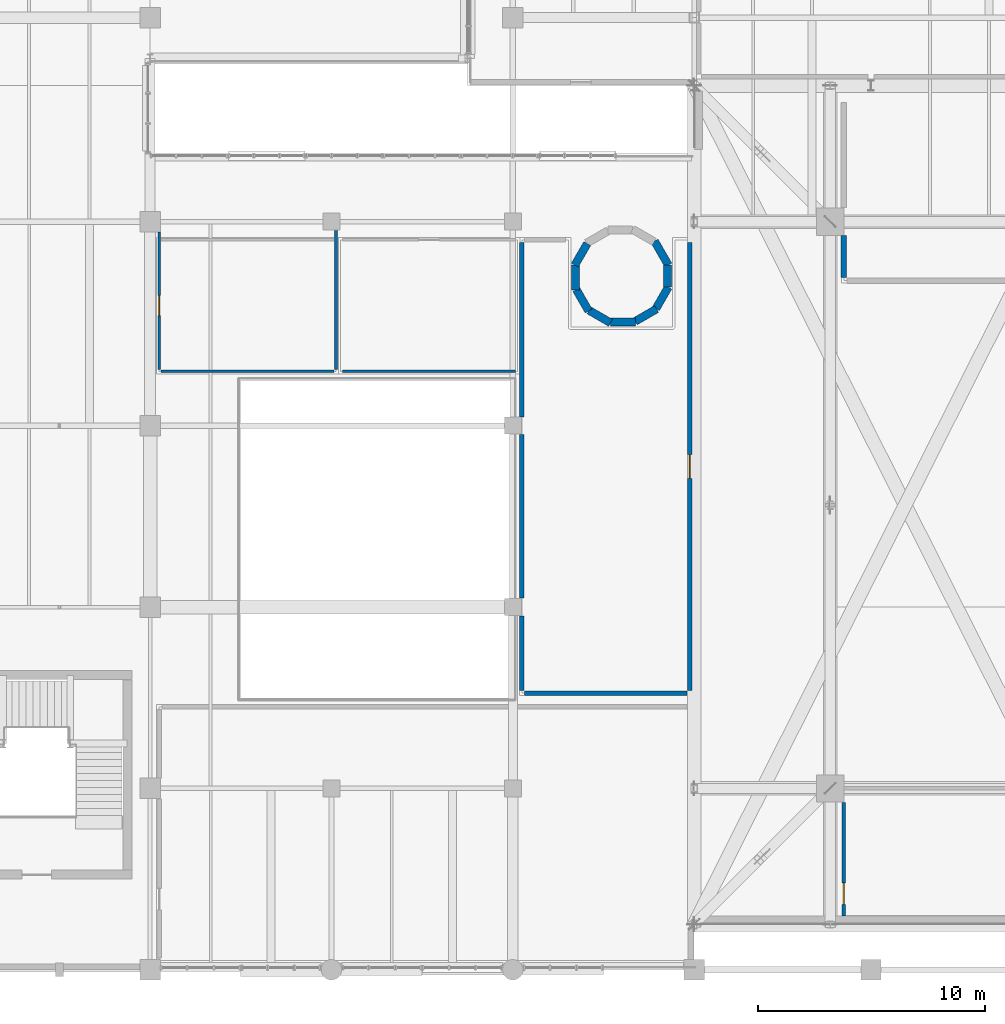
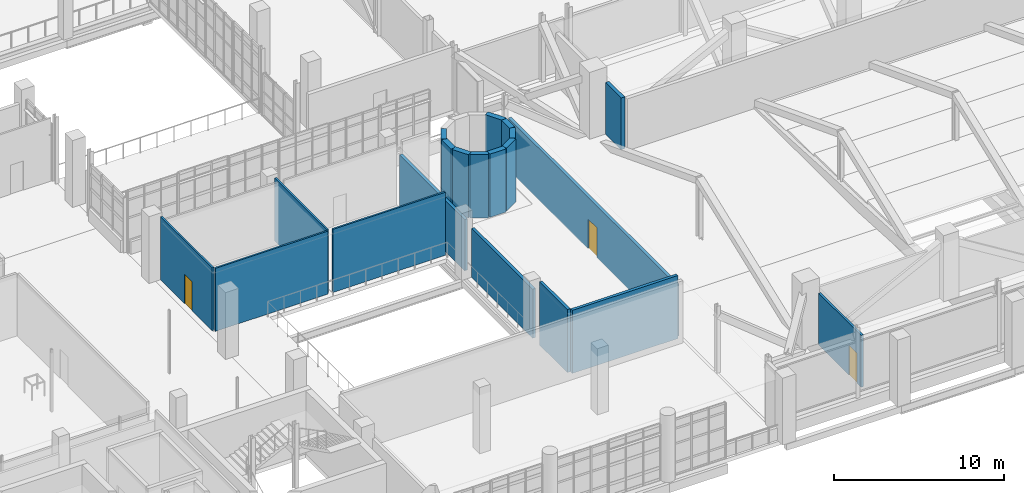
# One storey, part 110 of 127: 20 walls, 3 doors, 3 openings.
"""IFC4 building model written with IfcOpenShell, lengths in metres."""

from ifc_helpers import new_model, si_unit, derived_unit, direction, frame, frame_2d, origin, place, context, subcontext, project, spatial, rectangle, extrude, material, layer, layer_set, type_object, element, fill, save


model = new_model("IFC4")

# Units and contexts
model_context = context("Model", 3, precision=1e-05, world=origin(), true_north=direction((0.0, 1.0)))
body_context = subcontext(model_context, "Body", "Model", "MODEL_VIEW")
ifc_project = project(units=[si_unit("LENGTHUNIT", "METRE"), si_unit("AREAUNIT", "SQUARE_METRE"), si_unit("VOLUMEUNIT", "CUBIC_METRE"), si_unit("PLANEANGLEUNIT", "RADIAN"), si_unit("MASSUNIT", "GRAM", prefix="KILO"), derived_unit("THERMALTRANSMITTANCEUNIT", [(si_unit("POWERUNIT", "WATT"), 1), (si_unit("LENGTHUNIT", "METRE"), -2), (si_unit("THERMODYNAMICTEMPERATUREUNIT", "KELVIN"), -1)])], contexts=[model_context])

# Site, building, storey
site_placement = place(None, origin())
site = spatial("IfcSite", under=ifc_project, at=site_placement, CompositionType="ELEMENT")
building_placement = place(site_placement, origin())
building = spatial("IfcBuilding", under=site, at=building_placement, Name="Nallur Shell Playhouse", CompositionType="ELEMENT")
storey_placement = place(building_placement, frame((0.0, 0.0, 5.39990234375)))
storey = spatial("IfcBuildingStorey", under=building, at=storey_placement, Name="L02", CompositionType="ELEMENT", Elevation=5.39990234375)

# Walls
ifc_material_1 = material(Name="Concrete M45", Category="concrete")
ifc_layer_1 = layer(ifc_material_1, 0.39990234375)
ifc_layer_set_1 = layer_set([ifc_layer_1], Name="Concrete M45")
wall_type_1 = type_object("IfcWallType", Name="WL-CORE-400", PredefinedType="SHEAR", material=ifc_layer_set_1)
wall_1_placement = place(storey_placement, frame((62.861328125, 39.08642578125, 0.0), z_axis=(0.0, 0.0, 1.0), x_axis=(-0.499930512259, 0.866065518833, 0.0)))
element("IfcWall", 1, at=wall_1_placement, inside=storey, type_object=wall_type_1, Name="Metabolist service drum DR-1 facet 1 (L02)", PredefinedType="SHEAR", context=body_context, shape_type="SweptSolid", body=[
    extrude(rectangle(XDim=1.218994140625, YDim=0.35009765625, at=frame_2d((0.609375, 0.0))), origin(), (0.0, 0.0, 1.0), 4.5400390625),
])
for number, where, z_axis, x_axis, name in (
    (2, (59.28515625, 40.032958984375, 0.0), (0.0, 0.0, 1.0), (-0.500102687236, -0.865966109163, 0.0), "Metabolist service drum DR-1 facet 5 (L02)"),
    (3, (58.771484375, 39.08349609375, 0.0), (0.0, 0.0, 1.0), (0.0, -1.0, 0.0), "Metabolist service drum DR-1 facet 6 (L02)"),
    (4, (58.801513671875, 38.00439453125, 0.0), (0.0, 0.0, 1.0), (0.500102687236, -0.865966109163, 0.0), "Metabolist service drum DR-1 facet 7 (L02)"),
):
    element("IfcWall", number, at=place(storey_placement, frame(where, z_axis=z_axis, x_axis=x_axis)), inside=storey, type_object=wall_type_1, Name=name, PredefinedType="SHEAR", context=body_context, shape_type="SweptSolid", body=[
        extrude(rectangle(XDim=1.093017578125, YDim=0.35009765625, at=frame_2d((0.54638671875, 0.0))), origin(), (0.0, 0.0, 1.0), 4.5400390625),
    ])
wall_2_placement = place(storey_placement, frame((59.366943359375, 37.085205078125, 0.0), z_axis=(0.0, 0.0, 1.0), x_axis=(0.866021955858, -0.500005971936, 0.0)))
element("IfcWall", 5, at=wall_2_placement, inside=storey, type_object=wall_type_1, Name="Metabolist service drum DR-1 facet 8 (L02)", PredefinedType="SHEAR", context=body_context, shape_type="SweptSolid", body=[
    extrude(rectangle(XDim=1.09326171875, YDim=0.35009765625, at=frame_2d((0.546630859375, 0.0))), origin(), (0.0, 0.0, 1.0), 4.5400390625),
])
for number, where, z_axis, x_axis, name in (
    (6, (60.31640625, 36.571533203125, 0.0), (0.0, 0.0, 1.0), (1.0, 0.0, 0.0), "Metabolist service drum DR-1 facet 9 (L02)"),
    (7, (61.3955078125, 36.6015625, 0.0), (0.0, 0.0, 1.0), (0.865966109163, 0.500102687236, 0.0), "Metabolist service drum DR-1 facet 10 (L02)"),
    (8, (62.31494140625, 37.1669921875, 0.0), (0.0, 0.0, 1.0), (0.499935162227, 0.866062834654, 0.0), "Metabolist service drum DR-1 facet 11 (L02)"),
):
    element("IfcWall", number, at=place(storey_placement, frame(where, z_axis=z_axis, x_axis=x_axis)), inside=storey, type_object=wall_type_1, Name=name, PredefinedType="SHEAR", context=body_context, shape_type="SweptSolid", body=[
        extrude(rectangle(XDim=1.093017578125, YDim=0.35009765625, at=frame_2d((0.54638671875, 0.0))), origin(), (0.0, 0.0, 1.0), 4.5400390625),
    ])
wall_3_placement = place(storey_placement, frame((62.828369140625, 38.116455078125, 0.0), z_axis=(0.0, 0.0, 1.0), x_axis=(0.0, 1.0, 0.0)))
element("IfcWall", 9, at=wall_3_placement, inside=storey, type_object=wall_type_1, Name="Metabolist service drum DR-1 facet 12 (L02)", PredefinedType="SHEAR", context=body_context, shape_type="SweptSolid", body=[
    extrude(rectangle(XDim=0.967041015625, YDim=0.35009765625, at=frame_2d((0.4833984375, 0.0))), origin(), (0.0, 0.0, 1.0), 4.5400390625),
])

# Wall, opening, door
ifc_material_2 = material(Name="Concrete M30", Category="concrete")
ifc_layer_2 = layer(ifc_material_2, 0.199951171875)
ifc_layer_set_2 = layer_set([ifc_layer_2], Name="Concrete M30")
wall_type_2 = type_object("IfcWallType", Name="WL-PART-AC200", PredefinedType="PARTITIONING", material=ifc_layer_set_2)
wall_4_placement = place(storey_placement, frame((63.800048828125, 40.080078125, 0.0), z_axis=(0.0, 0.0, 1.0), x_axis=(0.0, -1.0, 0.0)))
wall_4 = element("IfcWall", 10, at=wall_4_placement, inside=storey, type_object=wall_type_2, Name="Stalls Interval Champagne & Coffee Bar partition IW-L02-0150", PredefinedType="PARTITIONING", context=body_context, shape_type="SweptSolid", body=[
    extrude(rectangle(XDim=19.760009765625, YDim=0.199951171875, at=frame_2d((9.8798828125, 0.0))), origin(), (0.0, 0.0, 1.0), 3.72021484375),
])
opening_1_placement = place(wall_4_placement, frame((9.35498046875, 0.0, 0.0)))
opening_1 = element("IfcOpeningElement", 11, at=opening_1_placement, cuts=wall_4, Name="Opening ID-01", PredefinedType="OPENING", context=body_context, shape_type="SweptSolid", body=[
    extrude(rectangle(XDim=1.050048828125, YDim=2.14990234375, at=frame_2d((0.52490234375, 1.074951171875))), frame((0.0, 0.10986328125, 0.0), z_axis=(0.0, -1.0, 0.0), x_axis=(1.0, 0.0, 0.0)), (0.0, 0.0, 1.0), 0.219970703125),
])
ifc_material_3 = material(Name="Solid-Core Engineered Timber Fire Door", Category="wood")
door_type_1 = type_object("IfcDoorType", Name="DR-INT-SGL1050L", OperationType="SINGLE_SWING_LEFT", PredefinedType="DOOR", material=ifc_material_3)
door_1_placement = place(opening_1_placement, origin())
door_1 = element("IfcDoor", 12, at=door_1_placement, inside=storey, type_object=door_type_1, Name="Stalls Interval Champagne & Coffee Bar door 1", OperationType="SINGLE_SWING_LEFT", OverallHeight=2.14990234375, OverallWidth=1.050048828125, PredefinedType="DOOR", context=body_context, shape_type="SweptSolid", body=[
    extrude(rectangle(XDim=1.050048828125, YDim=2.14990234375, at=frame_2d((0.52490234375, 1.074951171875))), frame((0.0, 0.02490234375, 0.0), z_axis=(0.0, -1.0, 0.0), x_axis=(1.0, 0.0, 0.0)), (0.0, 0.0, 1.0), 0.050048828125),
])
fill(opening_1, door_1)

# Walls
wall_5_placement = place(storey_placement, frame((63.679931640625, 20.199951171875, 0.0), z_axis=(0.0, 0.0, 1.0), x_axis=(-1.0, 0.0, 0.0)))
element("IfcWall", 13, at=wall_5_placement, inside=storey, type_object=wall_type_2, Name="Stalls Interval Champagne & Coffee Bar partition IW-L02-0151", PredefinedType="PARTITIONING", context=body_context, shape_type="SweptSolid", body=[
    extrude(rectangle(XDim=7.159912109375, YDim=0.199951171875, at=frame_2d((3.580078125, 0.0))), origin(), (0.0, 0.0, 1.0), 4.530029296875),
])
wall_6_placement = place(storey_placement, frame((56.39990234375, 20.320068359375, 0.0), z_axis=(0.0, 0.0, 1.0), x_axis=(0.0, 1.0, 0.0)))
element("IfcWall", 14, at=wall_6_placement, inside=storey, type_object=wall_type_2, Name="Stalls Interval Champagne & Coffee Bar partition IW-L02-0152", PredefinedType="PARTITIONING", context=body_context, shape_type="SweptSolid", body=[
    extrude(rectangle(XDim=3.2900390625, YDim=0.199951171875, at=frame_2d((1.64501953125, 0.0))), origin(), (0.0, 0.0, 1.0), 4.530029296875),
])
wall_7_placement = place(storey_placement, frame((56.39990234375, 24.389892578125, 0.0), z_axis=(0.0, 0.0, 1.0), x_axis=(0.0, 1.0, 0.0)))
element("IfcWall", 15, at=wall_7_placement, inside=storey, type_object=wall_type_2, Name="Stalls Interval Champagne & Coffee Bar partition IW-L02-0153", PredefinedType="PARTITIONING", context=body_context, shape_type="SweptSolid", body=[
    extrude(rectangle(XDim=7.22021484375, YDim=0.199951171875, at=frame_2d((3.610107421875, 0.0))), origin(), (0.0, 0.0, 1.0), 3.52001953125),
])
wall_8_placement = place(storey_placement, frame((56.39990234375, 32.389892578125, 0.0), z_axis=(0.0, 0.0, 1.0), x_axis=(0.0, 1.0, 0.0)))
element("IfcWall", 16, at=wall_8_placement, inside=storey, type_object=wall_type_2, Name="Stalls Interval Champagne & Coffee Bar partition IW-L02-0154", PredefinedType="PARTITIONING", context=body_context, shape_type="SweptSolid", body=[
    extrude(rectangle(XDim=7.690185546875, YDim=0.199951171875, at=frame_2d((3.84521484375, 0.0))), origin(), (0.0, 0.0, 1.0), 3.670166015625),
])
ifc_layer_3 = layer(ifc_material_2, 0.25)
ifc_layer_set_3 = layer_set([ifc_layer_3], Name="Concrete M30")
wall_type_3 = type_object("IfcWallType", Name="WL-PART-AC250", PredefinedType="PARTITIONING", material=ifc_layer_set_3)
wall_9_placement = place(storey_placement, frame((70.60009765625, 38.544921875, 0.0), z_axis=(0.0, 0.0, 1.0), x_axis=(0.0, 1.0, 0.0)))
element("IfcWall", 17, at=wall_9_placement, inside=storey, type_object=wall_type_3, Name="Main Theatre Auditorium Stalls Bowl partition IW-L02-0137", PredefinedType="PARTITIONING", context=body_context, shape_type="SweptSolid", body=[
    extrude(rectangle(XDim=1.840087890625, YDim=0.25, at=frame_2d((0.919921875, 0.0))), origin(), (0.0, 0.0, 1.0), 3.72021484375),
])

# Wall, opening, door
ifc_material_4 = material(Name="Concrete M25 Fire Blockwork", Category="masonry")
ifc_layer_4 = layer(ifc_material_4, 0.14990234375)
ifc_layer_set_4 = layer_set([ifc_layer_4], Name="Concrete M25 Fire Blockwork")
wall_type_4 = type_object("IfcWallType", Name="WL-PART-FR150", PredefinedType="PARTITIONING", material=ifc_layer_set_4)
wall_10_placement = place(storey_placement, frame((70.60009765625, 10.3740234375, 0.0), z_axis=(0.0, 0.0, 1.0), x_axis=(0.0, 1.0, 0.0)))
wall_10 = element("IfcWall", 18, at=wall_10_placement, inside=storey, type_object=wall_type_4, Name="South Cantilevered Stalls Foyer Gallery partition IW-L02-0145", PredefinedType="PARTITIONING", context=body_context, shape_type="SweptSolid", body=[
    extrude(rectangle(XDim=5.010986328125, YDim=0.14990234375, at=frame_2d((2.50537109375, 0.0))), origin(), (0.0, 0.0, 1.0), 3.72021484375),
])
opening_2_placement = place(wall_10_placement, frame((0.514892578125, 0.0, 0.0)))
opening_2 = element("IfcOpeningElement", 19, at=opening_2_placement, cuts=wall_10, Name="Opening ID-03", PredefinedType="OPENING", context=body_context, shape_type="SweptSolid", body=[
    extrude(rectangle(XDim=0.949951171875, YDim=2.14990234375, at=frame_2d((0.47509765625, 1.074951171875))), frame((0.0, 0.0849609375, 0.0), z_axis=(0.0, -1.0, 0.0), x_axis=(1.0, 0.0, 0.0)), (0.0, 0.0, 1.0), 0.169921875),
])
ifc_material_5 = material(Name="Solid-Core Engineered Timber Door", Category="wood")
door_type_2 = type_object("IfcDoorType", Name="DR-INT-SGL950L", OperationType="SINGLE_SWING_LEFT", PredefinedType="DOOR", material=ifc_material_5)
door_2_placement = place(opening_2_placement, origin())
door_2 = element("IfcDoor", 20, at=door_2_placement, inside=storey, type_object=door_type_2, Name="South Cantilevered Stalls Foyer Gallery door 1", OperationType="SINGLE_SWING_LEFT", OverallHeight=2.14990234375, OverallWidth=0.949951171875, PredefinedType="DOOR", context=body_context, shape_type="SweptSolid", body=[
    extrude(rectangle(XDim=0.949951171875, YDim=2.14990234375, at=frame_2d((0.47509765625, 1.074951171875))), frame((0.0, 0.02490234375, 0.0), z_axis=(0.0, -1.0, 0.0), x_axis=(1.0, 0.0, 0.0)), (0.0, 0.0, 1.0), 0.050048828125),
])
fill(opening_2, door_2)

# Walls
ifc_layer_5 = layer(ifc_material_4, 0.1201171875)
ifc_layer_set_5 = layer_set([ifc_layer_5], Name="Concrete M25 Fire Blockwork")
wall_type_5 = type_object("IfcWallType", Name="WL-PART-WET120", PredefinedType="PARTITIONING", material=ifc_layer_set_5)
wall_11_placement = place(storey_placement, frame((48.199951171875, 40.62109375, 0.0), z_axis=(0.0, 0.0, 1.0), x_axis=(0.0, -1.0, 0.0)))
element("IfcWall", 21, at=wall_11_placement, inside=storey, type_object=wall_type_5, Name="Stalls Level Male Restroom partition IW-L02-0190", PredefinedType="PARTITIONING", context=body_context, shape_type="SweptSolid", body=[
    extrude(rectangle(XDim=6.14111328125, YDim=0.1201171875, at=frame_2d((3.070556640625, 0.0))), origin(), (0.0, 0.0, 1.0), 4.530029296875),
])
wall_12_placement = place(storey_placement, frame((48.1201171875, 34.39990234375, 0.0), z_axis=(0.0, 0.0, 1.0), x_axis=(-1.0, 0.0, 0.0)))
element("IfcWall", 22, at=wall_12_placement, inside=storey, type_object=wall_type_5, Name="Stalls Level Male Restroom partition IW-L02-0191", PredefinedType="PARTITIONING", context=body_context, shape_type="SweptSolid", body=[
    extrude(rectangle(XDim=7.64013671875, YDim=0.1201171875, at=frame_2d((3.820068359375, 0.0))), origin(), (0.0, 0.0, 1.0), 4.530029296875),
])

# Wall, opening, door
wall_13_placement = place(storey_placement, frame((40.39990234375, 34.47998046875, 0.0), z_axis=(0.0, 0.0, 1.0), x_axis=(0.0, 1.0, 0.0)))
wall_13 = element("IfcWall", 23, at=wall_13_placement, inside=storey, type_object=wall_type_5, Name="Stalls Level Male Restroom partition IW-L02-0192", PredefinedType="PARTITIONING", context=body_context, shape_type="SweptSolid", body=[
    extrude(rectangle(XDim=6.06591796875, YDim=0.1201171875, at=frame_2d((3.032958984375, 0.0))), origin(), (0.0, 0.0, 1.0), 4.530029296875),
])
opening_3_placement = place(wall_13_placement, frame((2.3798828125, 0.0, 0.0)))
opening_3 = element("IfcOpeningElement", 24, at=opening_3_placement, cuts=wall_13, Name="Opening WD-02", PredefinedType="OPENING", context=body_context, shape_type="SweptSolid", body=[
    extrude(rectangle(XDim=0.8798828125, YDim=2.10009765625, at=frame_2d((0.43994140625, 1.050048828125))), frame((0.0, 0.070068359375, 0.0), z_axis=(0.0, -1.0, 0.0), x_axis=(1.0, 0.0, 0.0)), (0.0, 0.0, 1.0), 0.14013671875),
])
ifc_material_6 = material(Name="Moisture-Resistant Laminate Restroom Door")
door_type_3 = type_object("IfcDoorType", Name="DR-INT-WC880R", OperationType="SINGLE_SWING_RIGHT", PredefinedType="DOOR", material=ifc_material_6)
door_3_placement = place(opening_3_placement, origin())
door_3 = element("IfcDoor", 25, at=door_3_placement, inside=storey, type_object=door_type_3, Name="Stalls Level Male Restroom door 1", OperationType="SINGLE_SWING_RIGHT", OverallHeight=2.10009765625, OverallWidth=0.8798828125, PredefinedType="DOOR", context=body_context, shape_type="SweptSolid", body=[
    extrude(rectangle(XDim=0.8798828125, YDim=2.10009765625, at=frame_2d((0.43994140625, 1.050048828125))), frame((0.0, 0.02490234375, 0.0), z_axis=(0.0, -1.0, 0.0), x_axis=(1.0, 0.0, 0.0)), (0.0, 0.0, 1.0), 0.050048828125),
])
fill(opening_3, door_3)

# Wall
wall_14_placement = place(storey_placement, frame((56.1201171875, 34.39990234375, 0.0), z_axis=(0.0, 0.0, 1.0), x_axis=(-1.0, 0.0, 0.0)))
element("IfcWall", 26, at=wall_14_placement, inside=storey, type_object=wall_type_5, Name="Stalls Level Female Restroom partition IW-L02-0194", PredefinedType="PARTITIONING", context=body_context, shape_type="SweptSolid", body=[
    extrude(rectangle(XDim=7.64013671875, YDim=0.1201171875, at=frame_2d((3.820068359375, 0.0))), origin(), (0.0, 0.0, 1.0), 4.530029296875),
])

save(model, "model.ifc")
